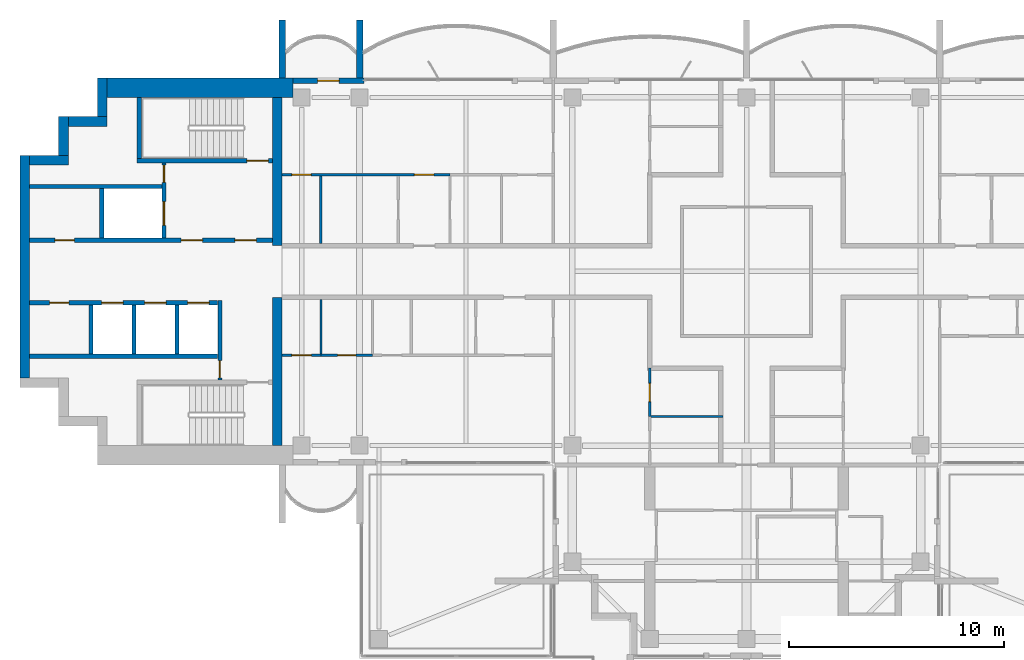
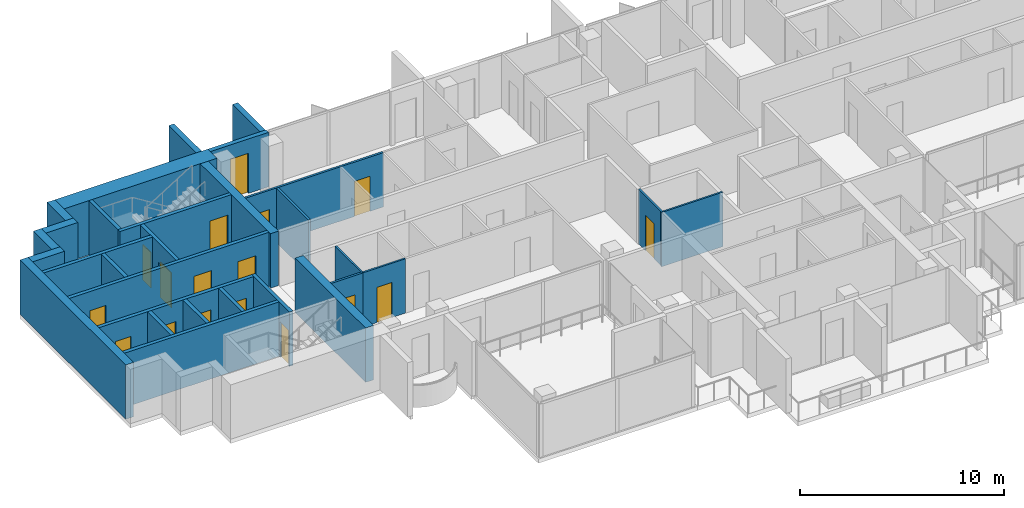
# One storey, part 7 of 16: 30 walls, 17 doors, 17 openings.
"""IFC4 building model written with IfcOpenShell, lengths in metres."""

from ifc_helpers import new_model, si_unit, direction, frame, frame_2d, origin, place, context, subcontext, project, spatial, rectangle, extrude, material, layer, layer_set, type_object, element, fill, save


model = new_model("IFC4")

# Units and contexts
model_context = context("Model", 3, precision=1e-05, world=origin(), true_north=direction((0.0, 1.0)))
body_context = subcontext(model_context, "Body", "Model", "MODEL_VIEW")
ifc_project = project(units=[si_unit("LENGTHUNIT", "METRE"), si_unit("AREAUNIT", "SQUARE_METRE"), si_unit("VOLUMEUNIT", "CUBIC_METRE"), si_unit("PLANEANGLEUNIT", "RADIAN"), si_unit("MASSUNIT", "GRAM", prefix="KILO")], contexts=[model_context])

# Site, building, storey
site_placement = place(None, origin())
site = spatial("IfcSite", under=ifc_project, at=site_placement, CompositionType="ELEMENT")
building_placement = place(site_placement, origin())
building = spatial("IfcBuilding", under=site, at=building_placement, Name="Perihelion Cross Residences", CompositionType="ELEMENT")
storey_placement = place(building_placement, frame((0.0, 0.0, 232.5)))
storey = spatial("IfcBuildingStorey", under=building, at=storey_placement, Name="L58", CompositionType="ELEMENT", Elevation=232.5)

# Wall, opening, door
ifc_material_1 = material(Name="Concrete C30/37, bronze-clad", Category="concrete")
ifc_layer_1 = layer(ifc_material_1, 0.25)
ifc_layer_set_1 = layer_set([ifc_layer_1], Name="Bronze-clad pier wall 250")
wall_type_1 = type_object("IfcWallType", Name="Bronze-clad pier wall 250", PredefinedType="SOLIDWALL", material=ifc_layer_set_1)
wall_1_placement = place(storey_placement, frame((-17.800048828125, 8.875, 0.0), z_axis=(0.0, 0.0, 1.0), x_axis=(-1.0, 0.0, 0.0)))
wall_1 = element("IfcWall", 1, at=wall_1_placement, inside=storey, type_object=wall_type_1, Name="Wall FW1 L58 west side north bay 2 pier", PredefinedType="SOLIDWALL", context=body_context, shape_type="SweptSolid", body=[
    extrude(rectangle(XDim=3.300048828125, YDim=0.25, at=frame_2d((1.64990234375, 0.0))), origin(), (0.0, 0.0, 1.0), 3.25),
])
opening_1_placement = place(wall_1_placement, frame((1.14990234375, 0.0, 0.0)))
opening_1 = element("IfcOpeningElement", 2, at=opening_1_placement, cuts=wall_1, Name="Opening L58.E06", PredefinedType="OPENING", context=body_context, shape_type="SweptSolid", body=[
    extrude(rectangle(XDim=1.0, YDim=2.39990234375, at=frame_2d((0.5, 1.199951171875))), frame((0.0, 0.135009765625, 0.0), z_axis=(0.0, -1.0, 0.0), x_axis=(1.0, 0.0, 0.0)), (0.0, 0.0, 1.0), 0.27001953125),
])
ifc_material_2 = material(Name="Bronze anodised aluminium, glazed", Category="aluminium")
door_type_1 = type_object("IfcDoorType", Name="Balcony door 1000 x 2400", OperationType="NOTDEFINED", PredefinedType="DOOR", material=ifc_material_2)
door_1_placement = place(opening_1_placement, origin())
door_1 = element("IfcDoor", 3, at=door_1_placement, inside=storey, type_object=door_type_1, Name="Door L58.E06 west side north bay 2", OperationType="SINGLE_SWING_RIGHT", OverallHeight=2.39990234375, OverallWidth=1.0, PredefinedType="DOOR", context=body_context, shape_type="SweptSolid", body=[
    extrude(rectangle(XDim=1.0, YDim=2.39990234375, at=frame_2d((0.5, 1.199951171875))), frame((0.0, 0.02490234375, 0.0), z_axis=(0.0, -1.0, 0.0), x_axis=(1.0, 0.0, 0.0)), (0.0, 0.0, 1.0), 0.050048828125),
])
fill(opening_1, door_1)

# Walls
ifc_material_3 = material(Name="Concrete C60/75", Category="concrete")
ifc_layer_2 = layer(ifc_material_3, 0.449951171875)
ifc_layer_set_2 = layer_set([ifc_layer_2], Name="Core wall, inner 450")
wall_type_2 = type_object("IfcWallType", Name="Core wall, inner 450", PredefinedType="SHEAR", material=ifc_layer_set_2)
for number, where, z_axis, x_axis, name in (
    (4, (-21.824951171875, -8.10009765625, 0.0), (0.0, 0.0, 1.0), (0.0, 1.0, 0.0), "West core core wall, inner"),
    (5, (-21.824951171875, 1.199951171875, 0.0), (0.0, 0.0, 1.0), (0.0, 1.0, 0.0), "West core core wall, inner"),
):
    element("IfcWall", number, at=place(storey_placement, frame(where, z_axis=z_axis, x_axis=x_axis)), inside=storey, type_object=wall_type_2, Name=name, PredefinedType="SHEAR", context=body_context, shape_type="SweptSolid", body=[
        extrude(rectangle(XDim=6.900146484375, YDim=0.449951171875, at=frame_2d((3.4501953125, 0.0))), origin(), (0.0, 0.0, 1.0), 3.25),
    ])
ifc_material_4 = material(Name="Concrete C60/75", Category="concrete")
ifc_layer_3 = layer(ifc_material_4, 0.449951171875)
ifc_layer_set_3 = layer_set([ifc_layer_3], Name="Core wall, outer 450")
wall_type_3 = type_object("IfcWallType", Name="Core wall, outer 450", PredefinedType="SHEAR", material=ifc_layer_set_3)
wall_2_placement = place(storey_placement, frame((-33.574951171875, -4.949951171875, 0.0), z_axis=(0.0, 0.0, 1.0), x_axis=(0.0, 1.0, 0.0)))
element("IfcWall", 6, at=wall_2_placement, inside=storey, type_object=wall_type_3, Name="West core core wall, outer", PredefinedType="SHEAR", context=body_context, shape_type="SweptSolid", body=[
    extrude(rectangle(XDim=10.349853515625, YDim=0.449951171875, at=frame_2d((5.1748046875, 0.0))), origin(), (0.0, 0.0, 1.0), 3.25),
])
for number, where, z_axis, x_axis, name in (
    (7, (-33.35009765625, 5.175048828125, 0.0), (0.0, 0.0, 1.0), (1.0, 0.0, 0.0), "West core core wall, outer"),
    (8, (-31.77490234375, 5.39990234375, 0.0), (0.0, 0.0, 1.0), (0.0, 1.0, 0.0), "West core core wall, outer"),
    (9, (-31.550048828125, 6.97509765625, 0.0), (0.0, 0.0, 1.0), (1.0, 0.0, 0.0), "West core core wall, outer"),
    (10, (-29.97509765625, 7.199951171875, 0.0), (0.0, 0.0, 1.0), (0.0, 1.0, 0.0), "West core core wall, outer"),
):
    element("IfcWall", number, at=place(storey_placement, frame(where, z_axis=z_axis, x_axis=x_axis)), inside=storey, type_object=wall_type_3, Name=name, PredefinedType="SHEAR", context=body_context, shape_type="SweptSolid", body=[
        extrude(rectangle(XDim=1.800048828125, YDim=0.449951171875, at=frame_2d((0.89990234375, 0.0))), origin(), (0.0, 0.0, 1.0), 3.25),
    ])
ifc_material_5 = material(Name="Concrete C60/75", Category="concrete")
ifc_layer_4 = layer(ifc_material_5, 0.89990234375)
ifc_layer_set_4 = layer_set([ifc_layer_4], Name="Core wall, outer 900")
wall_type_4 = type_object("IfcWallType", Name="Core wall, outer 900", PredefinedType="SHEAR", material=ifc_layer_set_4)
wall_3_placement = place(storey_placement, frame((-29.75, 8.550048828125, 0.0), z_axis=(0.0, 0.0, 1.0), x_axis=(1.0, 0.0, 0.0)))
element("IfcWall", 11, at=wall_3_placement, inside=storey, type_object=wall_type_4, Name="West core core wall, outer", PredefinedType="SHEAR", context=body_context, shape_type="SweptSolid", body=[
    extrude(rectangle(XDim=8.64990234375, YDim=0.89990234375, at=frame_2d((4.324951171875, 0.0))), origin(), (0.0, 0.0, 1.0), 3.25),
])

# Wall, opening, door
ifc_material_6 = material(Name="Concrete C50/60", Category="concrete")
ifc_layer_5 = layer(ifc_material_6, 0.199951171875)
ifc_layer_set_5 = layer_set([ifc_layer_5], Name="Lobby wall 200")
wall_type_5 = type_object("IfcWallType", Name="Lobby wall 200", PredefinedType="SOLIDWALL", material=ifc_layer_set_5)
wall_4_placement = place(storey_placement, frame((-24.5, -5.050048828125, 0.0), z_axis=(0.0, 0.0, 1.0), x_axis=(0.0, 1.0, 0.0)))
wall_4 = element("IfcWall", 12, at=wall_4_placement, inside=storey, type_object=wall_type_5, Name="West core lobby wall", PredefinedType="SOLIDWALL", context=body_context, shape_type="SweptSolid", body=[
    extrude(rectangle(XDim=3.699951171875, YDim=0.199951171875, at=frame_2d((1.85009765625, 0.0))), origin(), (0.0, 0.0, 1.0), 3.25),
])
opening_2_placement = place(wall_4_placement, frame((0.10009765625, 0.0, 0.0)))
opening_2 = element("IfcOpeningElement", 13, at=opening_2_placement, cuts=wall_4, Name="Opening L58.C20", PredefinedType="OPENING", context=body_context, shape_type="SweptSolid", body=[
    extrude(rectangle(XDim=0.800048828125, YDim=2.10009765625, at=frame_2d((0.39990234375, 1.050048828125))), frame((0.0, 0.10986328125, 0.0), z_axis=(0.0, -1.0, 0.0), x_axis=(1.0, 0.0, 0.0)), (0.0, 0.0, 1.0), 0.219970703125),
])
ifc_material_7 = material(Name="Steel, powder coated", Category="steel")
door_type_2 = type_object("IfcDoorType", Name="Riser door 800", OperationType="SINGLE_SWING_LEFT", PredefinedType="DOOR", material=ifc_material_7)
door_2_placement = place(opening_2_placement, origin())
door_2 = element("IfcDoor", 14, at=door_2_placement, inside=storey, type_object=door_type_2, Name="West core riser door", OperationType="SINGLE_SWING_LEFT", OverallHeight=2.10009765625, OverallWidth=0.800048828125, PredefinedType="DOOR", context=body_context, shape_type="SweptSolid", body=[
    extrude(rectangle(XDim=0.800048828125, YDim=2.10009765625, at=frame_2d((0.39990234375, 1.050048828125))), frame((0.0, 0.02490234375, 0.0), z_axis=(0.0, -1.0, 0.0), x_axis=(1.0, 0.0, 0.0)), (0.0, 0.0, 1.0), 0.050048828125),
])
fill(opening_2, door_2)

# Wall, openings, doors
ifc_material_8 = material(Name="Plasterboard partition")
ifc_layer_6 = layer(ifc_material_8, 0.1201171875)
ifc_layer_set_6 = layer_set([ifc_layer_6], Name="Partition wall 120")
wall_type_6 = type_object("IfcWallType", Name="Partition wall 120", PredefinedType="PARTITIONING", material=ifc_layer_set_6)
wall_5_placement = place(storey_placement, frame((-21.60009765625, 4.5, 0.0), z_axis=(0.0, 0.0, 1.0), x_axis=(1.0, 0.0, 0.0)))
wall_5 = element("IfcWall", 15, at=wall_5_placement, inside=storey, type_object=wall_type_6, Name="Partition L58 W049", PredefinedType="PARTITIONING", context=body_context, shape_type="SweptSolid", body=[
    extrude(rectangle(XDim=7.800048828125, YDim=0.1201171875, at=frame_2d((3.89990234375, 0.0))), origin(), (0.0, 0.0, 1.0), 3.25),
])
opening_3_placement = place(wall_5_placement, frame((0.449951171875, 0.0, 0.0)))
opening_3 = element("IfcOpeningElement", 16, at=opening_3_placement, cuts=wall_5, Name="Opening L58.A19", PredefinedType="OPENING", context=body_context, shape_type="SweptSolid", body=[
    extrude(rectangle(XDim=0.89990234375, YDim=2.10009765625, at=frame_2d((0.449951171875, 1.050048828125))), frame((0.0, 0.070068359375, 0.0), z_axis=(0.0, -1.0, 0.0), x_axis=(1.0, 0.0, 0.0)), (0.0, 0.0, 1.0), 0.14013671875),
])
opening_4_placement = place(wall_5_placement, frame((6.14990234375, 0.0, 0.0)))
opening_4 = element("IfcOpeningElement", 17, at=opening_4_placement, cuts=wall_5, Name="Opening L58.A23", PredefinedType="OPENING", context=body_context, shape_type="SweptSolid", body=[
    extrude(rectangle(XDim=0.89990234375, YDim=2.10009765625, at=frame_2d((0.449951171875, 1.050048828125))), frame((0.0, 0.070068359375, 0.0), z_axis=(0.0, -1.0, 0.0), x_axis=(1.0, 0.0, 0.0)), (0.0, 0.0, 1.0), 0.14013671875),
])
ifc_material_9 = material(Name="Timber door leaf", Category="wood")
door_type_3 = type_object("IfcDoorType", Name="Interior room door 900 x 2100", OperationType="SINGLE_SWING_LEFT", PredefinedType="DOOR", material=ifc_material_9)
door_3_placement = place(opening_3_placement, origin())
door_3 = element("IfcDoor", 18, at=door_3_placement, inside=storey, type_object=door_type_3, Name="Door L58.A19", OperationType="SINGLE_SWING_LEFT", OverallHeight=2.10009765625, OverallWidth=0.89990234375, PredefinedType="DOOR", context=body_context, shape_type="SweptSolid", body=[
    extrude(rectangle(XDim=0.89990234375, YDim=2.10009765625, at=frame_2d((0.449951171875, 1.050048828125))), frame((0.0, 0.02490234375, 0.0), z_axis=(0.0, -1.0, 0.0), x_axis=(1.0, 0.0, 0.0)), (0.0, 0.0, 1.0), 0.050048828125),
])
fill(opening_3, door_3)
door_4_placement = place(opening_4_placement, origin())
door_4 = element("IfcDoor", 19, at=door_4_placement, inside=storey, type_object=door_type_3, Name="Door L58.A23", OperationType="SINGLE_SWING_LEFT", OverallHeight=2.10009765625, OverallWidth=0.89990234375, PredefinedType="DOOR", context=body_context, shape_type="SweptSolid", body=[
    extrude(rectangle(XDim=0.89990234375, YDim=2.10009765625, at=frame_2d((0.449951171875, 1.050048828125))), frame((0.0, 0.02490234375, 0.0), z_axis=(0.0, -1.0, 0.0), x_axis=(1.0, 0.0, 0.0)), (0.0, 0.0, 1.0), 0.050048828125),
])
fill(opening_4, door_4)

# Wall
wall_6_placement = place(storey_placement, frame((-19.800048828125, 1.300048828125, 0.0), z_axis=(0.0, 0.0, 1.0), x_axis=(0.0, 1.0, 0.0)))
element("IfcWall", 20, at=wall_6_placement, inside=storey, type_object=wall_type_6, Name="Partition L58 W050", PredefinedType="PARTITIONING", context=body_context, shape_type="SweptSolid", body=[
    extrude(rectangle(XDim=3.139892578125, YDim=0.1201171875, at=frame_2d((1.56982421875, 0.0))), origin(), (0.0, 0.0, 1.0), 3.25),
])

# Wall, opening, door
wall_7_placement = place(storey_placement, frame((-19.800048828125, -3.89990234375, 0.0), z_axis=(0.0, 0.0, 1.0), x_axis=(-1.0, 0.0, 0.0)))
wall_7 = element("IfcWall", 21, at=wall_7_placement, inside=storey, type_object=wall_type_6, Name="Partition L58 W061", PredefinedType="PARTITIONING", context=body_context, shape_type="SweptSolid", body=[
    extrude(rectangle(XDim=1.800048828125, YDim=0.1201171875, at=frame_2d((0.89990234375, 0.0))), origin(), (0.0, 0.0, 1.0), 3.25),
])
opening_5_placement = place(wall_7_placement, frame((0.449951171875, 0.0, 0.0)))
opening_5 = element("IfcOpeningElement", 22, at=opening_5_placement, cuts=wall_7, Name="Opening L58.A26", PredefinedType="OPENING", context=body_context, shape_type="SweptSolid", body=[
    extrude(rectangle(XDim=0.89990234375, YDim=2.10009765625, at=frame_2d((0.449951171875, 1.050048828125))), frame((0.0, 0.070068359375, 0.0), z_axis=(0.0, -1.0, 0.0), x_axis=(1.0, 0.0, 0.0)), (0.0, 0.0, 1.0), 0.14013671875),
])
door_5_placement = place(opening_5_placement, origin())
door_5 = element("IfcDoor", 23, at=door_5_placement, inside=storey, type_object=door_type_3, Name="Door L58.A26", OperationType="SINGLE_SWING_LEFT", OverallHeight=2.10009765625, OverallWidth=0.89990234375, PredefinedType="DOOR", context=body_context, shape_type="SweptSolid", body=[
    extrude(rectangle(XDim=0.89990234375, YDim=2.10009765625, at=frame_2d((0.449951171875, 1.050048828125))), frame((0.0, 0.02490234375, 0.0), z_axis=(0.0, -1.0, 0.0), x_axis=(1.0, 0.0, 0.0)), (0.0, 0.0, 1.0), 0.050048828125),
])
fill(opening_5, door_5)

# Walls
ifc_material_10 = material(Name="Precast concrete C50/60", Category="concrete")
ifc_layer_7 = layer(ifc_material_10, 0.300048828125)
ifc_layer_set_7 = layer_set([ifc_layer_7], Name="Precast concrete C50/60 blade wall 300")
wall_type_7 = type_object("IfcWallType", Name="Precast concrete C50/60 blade wall 300", PredefinedType="SOLIDWALL", material=ifc_layer_set_7)
for number, where, z_axis, x_axis, name in (
    (24, (-21.60009765625, 9.0, 0.0), (0.0, 0.0, 1.0), (0.0, 1.0, 0.0), "Wall BL1 L58 no. 4"),
    (25, (-18.0, 9.0, 0.0), (0.0, 0.0, 1.0), (0.0, 1.0, 0.0), "Wall BL1 L58 no. 2"),
):
    element("IfcWall", number, at=place(storey_placement, frame(where, z_axis=z_axis, x_axis=x_axis)), inside=storey, type_object=wall_type_7, Name=name, PredefinedType="SOLIDWALL", context=body_context, shape_type="SweptSolid", body=[
        extrude(rectangle(XDim=2.699951171875, YDim=0.300048828125, at=frame_2d((1.35009765625, 0.0))), origin(), (0.0, 0.0, 1.0), 3.25),
    ])

# Wall, openings, doors
ifc_material_11 = material(Name="Concrete C50/60", Category="concrete")
ifc_layer_8 = layer(ifc_material_11, 0.199951171875)
ifc_layer_set_8 = layer_set([ifc_layer_8], Name="Shaft wall 200")
wall_type_8 = type_object("IfcWallType", Name="Shaft wall 200", PredefinedType="SOLIDWALL", material=ifc_layer_set_8)
wall_8_placement = place(storey_placement, frame((-33.35009765625, 1.449951171875, 0.0), z_axis=(0.0, 0.0, 1.0), x_axis=(1.0, 0.0, 0.0)))
wall_8 = element("IfcWall", 26, at=wall_8_placement, inside=storey, type_object=wall_type_8, Name="West core shaft wall", PredefinedType="SOLIDWALL", context=body_context, shape_type="SweptSolid", body=[
    extrude(rectangle(XDim=11.300048828125, YDim=0.199951171875, at=frame_2d((5.64990234375, 0.0))), origin(), (0.0, 0.0, 1.0), 3.25),
])
opening_6_placement = place(wall_8_placement, frame((9.550048828125, 0.0, 0.0)))
opening_6 = element("IfcOpeningElement", 27, at=opening_6_placement, cuts=wall_8, Name="Opening L58.C19", PredefinedType="OPENING", context=body_context, shape_type="SweptSolid", body=[
    extrude(rectangle(XDim=1.0, YDim=2.10009765625, at=frame_2d((0.5, 1.050048828125))), frame((0.0, 0.10986328125, 0.0), z_axis=(0.0, -1.0, 0.0), x_axis=(1.0, 0.0, 0.0)), (0.0, 0.0, 1.0), 0.219970703125),
])
opening_7_placement = place(wall_8_placement, frame((7.050048828125, 0.0, 0.0)))
opening_7 = element("IfcOpeningElement", 28, at=opening_7_placement, cuts=wall_8, Name="Opening L58.C21", PredefinedType="OPENING", context=body_context, shape_type="SweptSolid", body=[
    extrude(rectangle(XDim=1.0, YDim=2.10009765625, at=frame_2d((0.5, 1.050048828125))), frame((0.0, 0.10986328125, 0.0), z_axis=(0.0, -1.0, 0.0), x_axis=(1.0, 0.0, 0.0)), (0.0, 0.0, 1.0), 0.219970703125),
])
opening_8_placement = place(wall_8_placement, frame((1.175048828125, 0.0, 0.0)))
opening_8 = element("IfcOpeningElement", 29, at=opening_8_placement, cuts=wall_8, Name="Opening L58.C23", PredefinedType="OPENING", context=body_context, shape_type="SweptSolid", body=[
    extrude(rectangle(XDim=0.89990234375, YDim=2.10009765625, at=frame_2d((0.449951171875, 1.050048828125))), frame((0.0, 0.10986328125, 0.0), z_axis=(0.0, -1.0, 0.0), x_axis=(1.0, 0.0, 0.0)), (0.0, 0.0, 1.0), 0.219970703125),
])
ifc_material_12 = material(Name="Steel, powder coated", Category="steel")
door_type_4 = type_object("IfcDoorType", Name="Lobby door 1000", OperationType="SINGLE_SWING_LEFT", PredefinedType="DOOR", material=ifc_material_12)
door_6_placement = place(opening_6_placement, origin())
door_6 = element("IfcDoor", 30, at=door_6_placement, inside=storey, type_object=door_type_4, Name="West core firefighting lobby door", OperationType="SINGLE_SWING_LEFT", OverallHeight=2.10009765625, OverallWidth=1.0, PredefinedType="DOOR", context=body_context, shape_type="SweptSolid", body=[
    extrude(rectangle(XDim=1.0, YDim=2.10009765625, at=frame_2d((0.5, 1.050048828125))), frame((0.0, 0.02490234375, 0.0), z_axis=(0.0, -1.0, 0.0), x_axis=(1.0, 0.0, 0.0)), (0.0, 0.0, 1.0), 0.050048828125),
])
fill(opening_6, door_6)
door_7_placement = place(opening_7_placement, origin())
door_7 = element("IfcDoor", 31, at=door_7_placement, inside=storey, type_object=door_type_4, Name="West core firefighting lobby door", OperationType="SINGLE_SWING_LEFT", OverallHeight=2.10009765625, OverallWidth=1.0, PredefinedType="DOOR", context=body_context, shape_type="SweptSolid", body=[
    extrude(rectangle(XDim=1.0, YDim=2.10009765625, at=frame_2d((0.5, 1.050048828125))), frame((0.0, 0.02490234375, 0.0), z_axis=(0.0, -1.0, 0.0), x_axis=(1.0, 0.0, 0.0)), (0.0, 0.0, 1.0), 0.050048828125),
])
fill(opening_7, door_7)
ifc_material_13 = material(Name="Steel, powder coated", Category="steel")
door_type_5 = type_object("IfcDoorType", Name="Service room door 900", OperationType="SINGLE_SWING_LEFT", PredefinedType="DOOR", material=ifc_material_13)
door_8_placement = place(opening_8_placement, origin())
door_8 = element("IfcDoor", 32, at=door_8_placement, inside=storey, type_object=door_type_5, Name="West core service room door", OperationType="SINGLE_SWING_LEFT", OverallHeight=2.10009765625, OverallWidth=0.89990234375, PredefinedType="DOOR", context=body_context, shape_type="SweptSolid", body=[
    extrude(rectangle(XDim=0.89990234375, YDim=2.10009765625, at=frame_2d((0.449951171875, 1.050048828125))), frame((0.0, 0.02490234375, 0.0), z_axis=(0.0, -1.0, 0.0), x_axis=(1.0, 0.0, 0.0)), (0.0, 0.0, 1.0), 0.050048828125),
])
fill(opening_8, door_8)

wall_9_placement = place(storey_placement, frame((-33.35009765625, -1.449951171875, 0.0), z_axis=(0.0, 0.0, 1.0), x_axis=(1.0, 0.0, 0.0)))
wall_9 = element("IfcWall", 33, at=wall_9_placement, inside=storey, type_object=wall_type_8, Name="West core shaft wall", PredefinedType="SOLIDWALL", context=body_context, shape_type="SweptSolid", body=[
    extrude(rectangle(XDim=8.75, YDim=0.199951171875, at=frame_2d((4.375, 0.0))), origin(), (0.0, 0.0, 1.0), 3.25),
])
opening_9_placement = place(wall_9_placement, frame((7.35009765625, 0.0, 0.0)))
opening_9 = element("IfcOpeningElement", 34, at=opening_9_placement, cuts=wall_9, Name="Opening L58.C13", PredefinedType="OPENING", context=body_context, shape_type="SweptSolid", body=[
    extrude(rectangle(XDim=1.0, YDim=2.10009765625, at=frame_2d((0.5, 1.050048828125))), frame((0.0, 0.10986328125, 0.0), z_axis=(0.0, -1.0, 0.0), x_axis=(1.0, 0.0, 0.0)), (0.0, 0.0, 1.0), 0.219970703125),
])
opening_10_placement = place(wall_9_placement, frame((5.35009765625, 0.0, 0.0)))
opening_10 = element("IfcOpeningElement", 35, at=opening_10_placement, cuts=wall_9, Name="Opening L58.C15", PredefinedType="OPENING", context=body_context, shape_type="SweptSolid", body=[
    extrude(rectangle(XDim=1.0, YDim=2.10009765625, at=frame_2d((0.5, 1.050048828125))), frame((0.0, 0.10986328125, 0.0), z_axis=(0.0, -1.0, 0.0), x_axis=(1.0, 0.0, 0.0)), (0.0, 0.0, 1.0), 0.219970703125),
])
opening_11_placement = place(wall_9_placement, frame((3.35009765625, 0.0, 0.0)))
opening_11 = element("IfcOpeningElement", 36, at=opening_11_placement, cuts=wall_9, Name="Opening L58.C16", PredefinedType="OPENING", context=body_context, shape_type="SweptSolid", body=[
    extrude(rectangle(XDim=1.0, YDim=2.10009765625, at=frame_2d((0.5, 1.050048828125))), frame((0.0, 0.10986328125, 0.0), z_axis=(0.0, -1.0, 0.0), x_axis=(1.0, 0.0, 0.0)), (0.0, 0.0, 1.0), 0.219970703125),
])
opening_12_placement = place(wall_9_placement, frame((0.925048828125, 0.0, 0.0)))
opening_12 = element("IfcOpeningElement", 37, at=opening_12_placement, cuts=wall_9, Name="Opening L58.C24", PredefinedType="OPENING", context=body_context, shape_type="SweptSolid", body=[
    extrude(rectangle(XDim=0.89990234375, YDim=2.10009765625, at=frame_2d((0.449951171875, 1.050048828125))), frame((0.0, 0.10986328125, 0.0), z_axis=(0.0, -1.0, 0.0), x_axis=(1.0, 0.0, 0.0)), (0.0, 0.0, 1.0), 0.219970703125),
])
ifc_material_14 = material(Name="Stainless steel", Category="steel")
door_type_6 = type_object("IfcDoorType", Name="Landing door 1000", OperationType="DOUBLE_DOOR_SLIDING", PredefinedType="DOOR", material=ifc_material_14)
door_9_placement = place(opening_9_placement, origin())
door_9 = element("IfcDoor", 38, at=door_9_placement, inside=storey, type_object=door_type_6, Name="Landing door, West core high-rise lift 1", OperationType="DOUBLE_DOOR_SLIDING", OverallHeight=2.10009765625, OverallWidth=1.0, PredefinedType="DOOR", context=body_context, shape_type="SweptSolid", body=[
    extrude(rectangle(XDim=1.0, YDim=2.10009765625, at=frame_2d((0.5, 1.050048828125))), frame((0.0, 0.02490234375, 0.0), z_axis=(0.0, -1.0, 0.0), x_axis=(1.0, 0.0, 0.0)), (0.0, 0.0, 1.0), 0.050048828125),
])
fill(opening_9, door_9)
door_10_placement = place(opening_10_placement, origin())
door_10 = element("IfcDoor", 39, at=door_10_placement, inside=storey, type_object=door_type_6, Name="Landing door, West core high-rise lift 2", OperationType="DOUBLE_DOOR_SLIDING", OverallHeight=2.10009765625, OverallWidth=1.0, PredefinedType="DOOR", context=body_context, shape_type="SweptSolid", body=[
    extrude(rectangle(XDim=1.0, YDim=2.10009765625, at=frame_2d((0.5, 1.050048828125))), frame((0.0, 0.02490234375, 0.0), z_axis=(0.0, -1.0, 0.0), x_axis=(1.0, 0.0, 0.0)), (0.0, 0.0, 1.0), 0.050048828125),
])
fill(opening_10, door_10)
door_11_placement = place(opening_11_placement, origin())
door_11 = element("IfcDoor", 40, at=door_11_placement, inside=storey, type_object=door_type_6, Name="Landing door, West core high-rise lift 3", OperationType="DOUBLE_DOOR_SLIDING", OverallHeight=2.10009765625, OverallWidth=1.0, PredefinedType="DOOR", context=body_context, shape_type="SweptSolid", body=[
    extrude(rectangle(XDim=1.0, YDim=2.10009765625, at=frame_2d((0.5, 1.050048828125))), frame((0.0, 0.02490234375, 0.0), z_axis=(0.0, -1.0, 0.0), x_axis=(1.0, 0.0, 0.0)), (0.0, 0.0, 1.0), 0.050048828125),
])
fill(opening_11, door_11)
door_12_placement = place(opening_12_placement, origin())
door_12 = element("IfcDoor", 41, at=door_12_placement, inside=storey, type_object=door_type_5, Name="West core service room door", OperationType="SINGLE_SWING_LEFT", OverallHeight=2.10009765625, OverallWidth=0.89990234375, PredefinedType="DOOR", context=body_context, shape_type="SweptSolid", body=[
    extrude(rectangle(XDim=0.89990234375, YDim=2.10009765625, at=frame_2d((0.449951171875, 1.050048828125))), frame((0.0, 0.02490234375, 0.0), z_axis=(0.0, -1.0, 0.0), x_axis=(1.0, 0.0, 0.0)), (0.0, 0.0, 1.0), 0.050048828125),
])
fill(opening_12, door_12)

# Walls
wall_10_placement = place(storey_placement, frame((-33.35009765625, 3.949951171875, 0.0), z_axis=(0.0, 0.0, 1.0), x_axis=(1.0, 0.0, 0.0)))
element("IfcWall", 42, at=wall_10_placement, inside=storey, type_object=wall_type_8, Name="West core shaft wall", PredefinedType="SOLIDWALL", context=body_context, shape_type="SweptSolid", body=[
    extrude(rectangle(XDim=6.150146484375, YDim=0.199951171875, at=frame_2d((3.0751953125, 0.0))), origin(), (0.0, 0.0, 1.0), 3.25),
])
wall_11_placement = place(storey_placement, frame((-33.35009765625, -3.949951171875, 0.0), z_axis=(0.0, 0.0, 1.0), x_axis=(1.0, 0.0, 0.0)))
element("IfcWall", 43, at=wall_11_placement, inside=storey, type_object=wall_type_8, Name="West core shaft wall", PredefinedType="SOLIDWALL", context=body_context, shape_type="SweptSolid", body=[
    extrude(rectangle(XDim=8.75, YDim=0.199951171875, at=frame_2d((4.375, 0.0))), origin(), (0.0, 0.0, 1.0), 3.25),
])

# Wall, openings, doors
wall_12_placement = place(storey_placement, frame((-27.10009765625, 1.550048828125, 0.0), z_axis=(0.0, 0.0, 1.0), x_axis=(0.0, 1.0, 0.0)))
wall_12 = element("IfcWall", 44, at=wall_12_placement, inside=storey, type_object=wall_type_8, Name="West core shaft wall", PredefinedType="SOLIDWALL", context=body_context, shape_type="SweptSolid", body=[
    extrude(rectangle(XDim=3.5, YDim=0.199951171875, at=frame_2d((1.75, 0.0))), origin(), (0.0, 0.0, 1.0), 3.25),
])
opening_13_placement = place(wall_12_placement, frame((0.60009765625, 0.0, 0.0)))
opening_13 = element("IfcOpeningElement", 45, at=opening_13_placement, cuts=wall_12, Name="Opening L58.C14", PredefinedType="OPENING", context=body_context, shape_type="SweptSolid", body=[
    extrude(rectangle(XDim=1.10009765625, YDim=2.10009765625, at=frame_2d((0.550048828125, 1.050048828125))), frame((0.0, 0.10986328125, 0.0), z_axis=(0.0, -1.0, 0.0), x_axis=(1.0, 0.0, 0.0)), (0.0, 0.0, 1.0), 0.219970703125),
])
opening_14_placement = place(wall_12_placement, frame((2.60009765625, 0.0, 0.0)))
opening_14 = element("IfcOpeningElement", 46, at=opening_14_placement, cuts=wall_12, Name="Opening L58.C22", PredefinedType="OPENING", context=body_context, shape_type="SweptSolid", body=[
    extrude(rectangle(XDim=0.800048828125, YDim=2.10009765625, at=frame_2d((0.39990234375, 1.050048828125))), frame((0.0, 0.10986328125, 0.0), z_axis=(0.0, -1.0, 0.0), x_axis=(1.0, 0.0, 0.0)), (0.0, 0.0, 1.0), 0.219970703125),
])
ifc_material_15 = material(Name="Stainless steel", Category="steel")
door_type_7 = type_object("IfcDoorType", Name="Landing door, firefighting lift 1100", OperationType="DOUBLE_DOOR_SLIDING", PredefinedType="DOOR", material=ifc_material_15)
door_13_placement = place(opening_13_placement, origin())
door_13 = element("IfcDoor", 47, at=door_13_placement, inside=storey, type_object=door_type_7, Name="Landing door, West core firefighting and service lift", OperationType="DOUBLE_DOOR_SLIDING", OverallHeight=2.10009765625, OverallWidth=1.10009765625, PredefinedType="DOOR", context=body_context, shape_type="SweptSolid", body=[
    extrude(rectangle(XDim=1.10009765625, YDim=2.10009765625, at=frame_2d((0.550048828125, 1.050048828125))), frame((0.0, 0.02490234375, 0.0), z_axis=(0.0, -1.0, 0.0), x_axis=(1.0, 0.0, 0.0)), (0.0, 0.0, 1.0), 0.050048828125),
])
fill(opening_13, door_13)
door_14_placement = place(opening_14_placement, origin())
door_14 = element("IfcDoor", 48, at=door_14_placement, inside=storey, type_object=door_type_2, Name="West core riser door", OperationType="SINGLE_SWING_LEFT", OverallHeight=2.10009765625, OverallWidth=0.800048828125, PredefinedType="DOOR", context=body_context, shape_type="SweptSolid", body=[
    extrude(rectangle(XDim=0.800048828125, YDim=2.10009765625, at=frame_2d((0.39990234375, 1.050048828125))), frame((0.0, 0.02490234375, 0.0), z_axis=(0.0, -1.0, 0.0), x_axis=(1.0, 0.0, 0.0)), (0.0, 0.0, 1.0), 0.050048828125),
])
fill(opening_14, door_14)

# Walls
for number, where, z_axis, x_axis, name in (
    (49, (-30.0, 1.550048828125, 0.0), (0.0, 0.0, 1.0), (0.0, 1.0, 0.0), "West core shaft wall"),
    (50, (-26.5, -3.85009765625, 0.0), (0.0, 0.0, 1.0), (0.0, 1.0, 0.0), "West core shaft wall"),
    (51, (-28.5, -3.85009765625, 0.0), (0.0, 0.0, 1.0), (0.0, 1.0, 0.0), "West core shaft wall"),
    (52, (-30.5, -3.85009765625, 0.0), (0.0, 0.0, 1.0), (0.0, 1.0, 0.0), "West core shaft wall"),
):
    element("IfcWall", number, at=place(storey_placement, frame(where, z_axis=z_axis, x_axis=x_axis)), inside=storey, type_object=wall_type_8, Name=name, PredefinedType="SOLIDWALL", context=body_context, shape_type="SweptSolid", body=[
        extrude(rectangle(XDim=2.300048828125, YDim=0.199951171875, at=frame_2d((1.14990234375, 0.0))), origin(), (0.0, 0.0, 1.0), 3.25),
    ])

# Wall, opening, door
ifc_material_16 = material(Name="Concrete C50/60", Category="concrete")
ifc_layer_9 = layer(ifc_material_16, 0.199951171875)
ifc_layer_set_9 = layer_set([ifc_layer_9], Name="Stair wall 200")
wall_type_9 = type_object("IfcWallType", Name="Stair wall 200", PredefinedType="SOLIDWALL", material=ifc_layer_set_9)
wall_13_placement = place(storey_placement, frame((-28.35009765625, 5.14990234375, 0.0), z_axis=(0.0, 0.0, 1.0), x_axis=(1.0, 0.0, 0.0)))
wall_13 = element("IfcWall", 53, at=wall_13_placement, inside=storey, type_object=wall_type_9, Name="West core stair wall", PredefinedType="SOLIDWALL", context=body_context, shape_type="SweptSolid", body=[
    extrude(rectangle(XDim=6.300048828125, YDim=0.199951171875, at=frame_2d((3.14990234375, 0.0))), origin(), (0.0, 0.0, 1.0), 3.25),
])
opening_15_placement = place(wall_13_placement, frame((5.10009765625, 0.0, 0.0)))
opening_15 = element("IfcOpeningElement", 54, at=opening_15_placement, cuts=wall_13, Name="Opening L58.C18", PredefinedType="OPENING", context=body_context, shape_type="SweptSolid", body=[
    extrude(rectangle(XDim=1.0, YDim=2.10009765625, at=frame_2d((0.5, 1.050048828125))), frame((0.0, 0.10986328125, 0.0), z_axis=(0.0, -1.0, 0.0), x_axis=(1.0, 0.0, 0.0)), (0.0, 0.0, 1.0), 0.219970703125),
])
ifc_material_17 = material(Name="Steel, powder coated", Category="steel")
door_type_8 = type_object("IfcDoorType", Name="Stair door 1000", OperationType="SINGLE_SWING_LEFT", PredefinedType="DOOR", material=ifc_material_17)
door_15_placement = place(opening_15_placement, origin())
door_15 = element("IfcDoor", 55, at=door_15_placement, inside=storey, type_object=door_type_8, Name="West core stair door", OperationType="SINGLE_SWING_LEFT", OverallHeight=2.10009765625, OverallWidth=1.0, PredefinedType="DOOR", context=body_context, shape_type="SweptSolid", body=[
    extrude(rectangle(XDim=1.0, YDim=2.10009765625, at=frame_2d((0.5, 1.050048828125))), frame((0.0, 0.02490234375, 0.0), z_axis=(0.0, -1.0, 0.0), x_axis=(1.0, 0.0, 0.0)), (0.0, 0.0, 1.0), 0.050048828125),
])
fill(opening_15, door_15)

# Walls
wall_14_placement = place(storey_placement, frame((-28.25, 5.25, 0.0), z_axis=(0.0, 0.0, 1.0), x_axis=(0.0, 1.0, 0.0)))
element("IfcWall", 56, at=wall_14_placement, inside=storey, type_object=wall_type_9, Name="West core stair wall", PredefinedType="SOLIDWALL", context=body_context, shape_type="SweptSolid", body=[
    extrude(rectangle(XDim=2.85009765625, YDim=0.199951171875, at=frame_2d((1.425048828125, 0.0))), origin(), (0.0, 0.0, 1.0), 3.25),
])
ifc_material_18 = material(Name="Plasterboard partition")
ifc_layer_10 = layer(ifc_material_18, 0.10009765625)
ifc_layer_set_10 = layer_set([ifc_layer_10], Name="Wet room wall 100")
wall_type_10 = type_object("IfcWallType", Name="Wet room wall 100", PredefinedType="PARTITIONING", material=ifc_layer_set_10)
wall_15_placement = place(storey_placement, frame((-19.800048828125, -3.840087890625, 0.0), z_axis=(0.0, 0.0, 1.0), x_axis=(0.0, 1.0, 0.0)))
element("IfcWall", 57, at=wall_15_placement, inside=storey, type_object=wall_type_10, Name="Partition L58 W059", PredefinedType="PARTITIONING", context=body_context, shape_type="SweptSolid", body=[
    extrude(rectangle(XDim=2.5400390625, YDim=0.10009765625, at=frame_2d((1.27001953125, 0.0))), origin(), (0.0, 0.0, 1.0), 3.25),
])

# Wall, opening, door
wall_16_placement = place(storey_placement, frame((-17.39990234375, -3.89990234375, 0.0), z_axis=(0.0, 0.0, 1.0), x_axis=(-1.0, 0.0, 0.0)))
wall_16 = element("IfcWall", 58, at=wall_16_placement, inside=storey, type_object=wall_type_10, Name="Partition L58 W060", PredefinedType="PARTITIONING", context=body_context, shape_type="SweptSolid", body=[
    extrude(rectangle(XDim=2.400146484375, YDim=0.10009765625, at=frame_2d((1.2001953125, 0.0))), origin(), (0.0, 0.0, 1.0), 3.25),
])
opening_16_placement = place(wall_16_placement, frame((0.77490234375, 0.0, 0.0)))
opening_16 = element("IfcOpeningElement", 59, at=opening_16_placement, cuts=wall_16, Name="Opening L58.A25", PredefinedType="OPENING", context=body_context, shape_type="SweptSolid", body=[
    extrude(rectangle(XDim=0.85009765625, YDim=2.10009765625, at=frame_2d((0.425048828125, 1.050048828125))), frame((0.0, 0.06005859375, 0.0), z_axis=(0.0, -1.0, 0.0), x_axis=(1.0, 0.0, 0.0)), (0.0, 0.0, 1.0), 0.1201171875),
])
ifc_material_19 = material(Name="Timber door leaf", Category="wood")
door_type_9 = type_object("IfcDoorType", Name="Interior bathroom door 850 x 2100", OperationType="SINGLE_SWING_LEFT", PredefinedType="DOOR", material=ifc_material_19)
door_16_placement = place(opening_16_placement, origin())
door_16 = element("IfcDoor", 60, at=door_16_placement, inside=storey, type_object=door_type_9, Name="Door L58.A25", OperationType="SINGLE_SWING_LEFT", OverallHeight=2.10009765625, OverallWidth=0.85009765625, PredefinedType="DOOR", context=body_context, shape_type="SweptSolid", body=[
    extrude(rectangle(XDim=0.85009765625, YDim=2.10009765625, at=frame_2d((0.425048828125, 1.050048828125))), frame((0.0, 0.02490234375, 0.0), z_axis=(0.0, -1.0, 0.0), x_axis=(1.0, 0.0, 0.0)), (0.0, 0.0, 1.0), 0.050048828125),
])
fill(opening_16, door_16)

wall_17_placement = place(storey_placement, frame((-4.5, -4.5, 0.0), z_axis=(0.0, 0.0, 1.0), x_axis=(0.0, -1.0, 0.0)))
wall_17 = element("IfcWall", 61, at=wall_17_placement, inside=storey, type_object=wall_type_10, Name="Partition L58 W062", PredefinedType="PARTITIONING", context=body_context, shape_type="SweptSolid", body=[
    extrude(rectangle(XDim=2.25, YDim=0.10009765625, at=frame_2d((1.125, 0.0))), origin(), (0.0, 0.0, 1.0), 3.25),
])
opening_17_placement = place(wall_17_placement, frame((0.699951171875, 0.0, 0.0)))
opening_17 = element("IfcOpeningElement", 62, at=opening_17_placement, cuts=wall_17, Name="Opening L58.A31", PredefinedType="OPENING", context=body_context, shape_type="SweptSolid", body=[
    extrude(rectangle(XDim=0.85009765625, YDim=2.10009765625, at=frame_2d((0.425048828125, 1.050048828125))), frame((0.0, 0.06005859375, 0.0), z_axis=(0.0, -1.0, 0.0), x_axis=(1.0, 0.0, 0.0)), (0.0, 0.0, 1.0), 0.1201171875),
])
door_17_placement = place(opening_17_placement, origin())
door_17 = element("IfcDoor", 63, at=door_17_placement, inside=storey, type_object=door_type_9, Name="Door L58.A31", OperationType="SINGLE_SWING_LEFT", OverallHeight=2.10009765625, OverallWidth=0.85009765625, PredefinedType="DOOR", context=body_context, shape_type="SweptSolid", body=[
    extrude(rectangle(XDim=0.85009765625, YDim=2.10009765625, at=frame_2d((0.425048828125, 1.050048828125))), frame((0.0, 0.02490234375, 0.0), z_axis=(0.0, -1.0, 0.0), x_axis=(1.0, 0.0, 0.0)), (0.0, 0.0, 1.0), 0.050048828125),
])
fill(opening_17, door_17)

# Wall
wall_18_placement = place(storey_placement, frame((-1.10009765625, -6.75, 0.0), z_axis=(0.0, 0.0, 1.0), x_axis=(-1.0, 0.0, 0.0)))
element("IfcWall", 64, at=wall_18_placement, inside=storey, type_object=wall_type_10, Name="Partition L58 W064", PredefinedType="PARTITIONING", context=body_context, shape_type="SweptSolid", body=[
    extrude(rectangle(XDim=3.4599609375, YDim=0.10009765625, at=frame_2d((1.72998046875, 0.0))), origin(), (0.0, 0.0, 1.0), 3.25),
])

save(model, "model.ifc")
